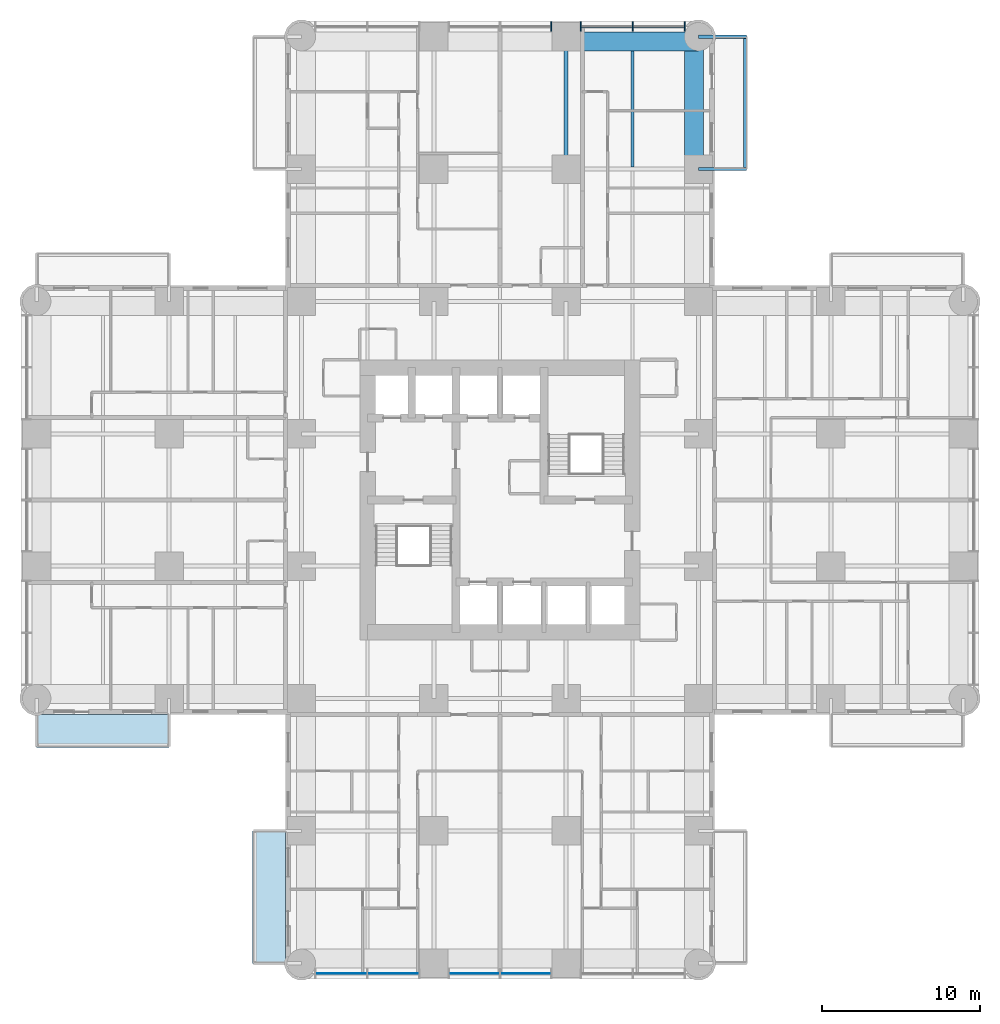
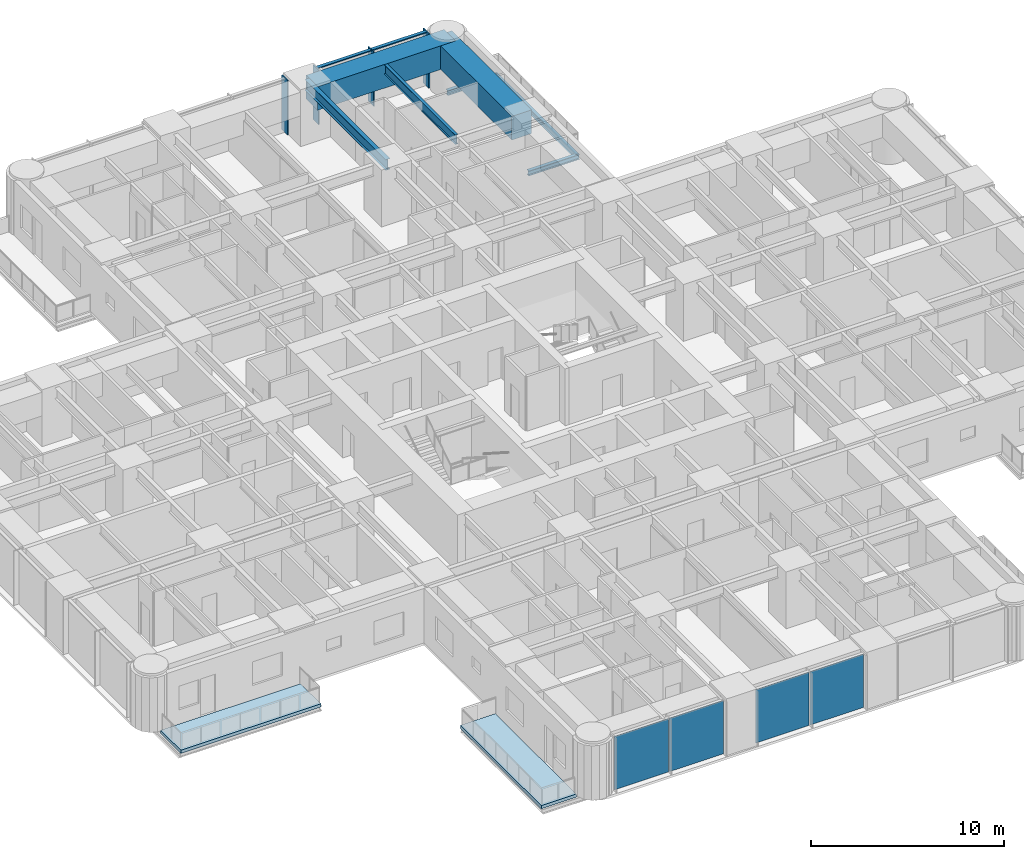
# One storey, part 5 of 17: 7 beams, 6 members, 4 plates, 2 slabs, 2 elements without a shape of their own.
"""IFC4 building model written with IfcOpenShell, lengths in metres."""

import ifcopenshell
import ifcopenshell.guid

model = None  # the IFC model being written
_history = None  # IfcOwnerHistory: only IFC2X3 demands one
_inside = {}  # id of a spatial element -> (the spatial element, [elements in it])
_under = {}  # id of a project, library or spatial element -> (it, [spatial elements below it])
_declared = {}  # id of a project -> (the project, [libraries it declares])
_typed = {}  # id of a type object -> (the type object, [elements of that type])
_made_of = {}  # id of a material, layer set ... -> (it, [elements and type objects made of it])


def new_model(schema):
    """Start an empty IFC model of exactly this schema.

    Asked for "IFC4X3", IfcOpenShell would pick the latest addendum, in which some entities
    have other attributes; the version numbers below select the first issue.
    IFC2X3 requires an IfcOwnerHistory on every rooted entity: one is made here for all.
    """
    global model, _history
    if schema == "IFC4X3":
        model = ifcopenshell.file(schema_version=(4, 3, 0, 0))
    else:
        model = ifcopenshell.file(schema=schema)
    _inside.clear()
    _under.clear()
    _declared.clear()
    _typed.clear()
    _made_of.clear()
    _history = None
    if model.schema == "IFC2X3":
        org = make("IfcOrganization", Name="unknown")
        user = make(
            "IfcPersonAndOrganization",
            ThePerson=make("IfcPerson", FamilyName="unknown"),
            TheOrganization=org,
        )
        app = make(
            "IfcApplication",
            ApplicationDeveloper=org,
            Version="unknown",
            ApplicationFullName="unknown",
            ApplicationIdentifier="unknown",
        )
        _history = make(
            "IfcOwnerHistory",
            OwningUser=user,
            OwningApplication=app,
            ChangeAction="ADDED",
            CreationDate=0,
        )
    return model


def make(cls, **values):
    """One entity of the class cls with the attributes given. An attribute that is None is left unset."""
    return model.create_entity(
        cls, **{name: value for name, value in values.items() if value is not None}
    )


def rooted(cls, **values):
    """An entity with a GlobalId (a new one), such as an element, a storey or a relation."""
    return make(cls, GlobalId=ifcopenshell.guid.new(), OwnerHistory=_history, **values)


def si_unit(unit_type, name, prefix=None):
    """IfcSIUnit, for example si_unit("LENGTHUNIT", "METRE", prefix="MILLI")."""
    return make("IfcSIUnit", UnitType=unit_type, Prefix=prefix, Name=name)


def assignment(units):
    """IfcUnitAssignment: the units of a project."""
    return None if units is None else make("IfcUnitAssignment", Units=units)


def point(xyz):
    """IfcCartesianPoint."""
    return None if xyz is None else make("IfcCartesianPoint", Coordinates=xyz)


def direction(xyz):
    """IfcDirection."""
    return None if xyz is None else make("IfcDirection", DirectionRatios=xyz)


def frame(location, z_axis=None, x_axis=None):
    """IfcAxis2Placement3D, a coordinate frame: its origin and axes. An axis left out is left unset."""
    return make(
        "IfcAxis2Placement3D",
        Location=point(location),
        Axis=direction(z_axis),
        RefDirection=direction(x_axis),
    )


def frame_2d(location, x_axis=None):
    """IfcAxis2Placement2D, a coordinate frame in the plane: its origin and x axis."""
    return make(
        "IfcAxis2Placement2D", Location=point(location), RefDirection=direction(x_axis)
    )


def origin():
    """The frame at (0, 0, 0) with its axes left unset."""
    return frame((0.0, 0.0, 0.0))


def origin_2d():
    """The frame at (0, 0) in the plane with its x axis left unset."""
    return frame_2d((0.0, 0.0))


def place(relative_to, where):
    """IfcLocalPlacement: puts the frame where relative to a parent placement (None: the world)."""
    return make(
        "IfcLocalPlacement", PlacementRelTo=relative_to, RelativePlacement=where
    )


def context(
    kind, dimensions, precision=None, world=None, true_north=None, identifier=None
):
    """IfcGeometricRepresentationContext, for example the 3D "Model" context."""
    return make(
        "IfcGeometricRepresentationContext",
        ContextIdentifier=identifier,
        ContextType=kind,
        CoordinateSpaceDimension=dimensions,
        Precision=precision,
        WorldCoordinateSystem=world,
        TrueNorth=true_north,
    )


def subcontext(parent, identifier, kind, view, scale=None):
    """IfcGeometricRepresentationSubContext, for example "Body" below "Model"."""
    return make(
        "IfcGeometricRepresentationSubContext",
        ContextIdentifier=identifier,
        ContextType=kind,
        ParentContext=parent,
        TargetScale=scale,
        TargetView=view,
    )


def project(units=None, contexts=None):
    """IfcProject with its units and contexts."""
    return rooted(
        "IfcProject",
        Name="project",
        RepresentationContexts=contexts,
        UnitsInContext=assignment(units),
    )


def spatial(cls, under=None, at=None, **own):
    """A site, building, storey or space (cls), placed at a placement, below another one or the project."""
    s = rooted(cls, ObjectPlacement=at, **own)
    if under is not None:
        _under.setdefault(under.id(), (under, []))[1].append(s)
    return s


def polyline(points):
    """IfcPolyline through the points."""
    return make("IfcPolyline", Points=[point(p) for p in points])


def profile(cls, at=None, kind="AREA", **sizes):
    """A parametric profile (cls). Its sizes go by their IFC names, for example OverallWidth=200.0."""
    return make(cls, ProfileType=kind, Position=at, **sizes)


def rectangle(**sizes):
    """IfcRectangleProfileDef."""
    return profile("IfcRectangleProfileDef", **sizes)


def i_section(**sizes):
    """IfcIShapeProfileDef."""
    return profile("IfcIShapeProfileDef", **sizes)


def outline(outer, holes=None, kind="AREA"):
    """IfcArbitraryClosedProfileDef: a profile drawn as a closed curve; with holes, ...WithVoids."""
    if holes is None:
        return make("IfcArbitraryClosedProfileDef", ProfileType=kind, OuterCurve=outer)
    return make(
        "IfcArbitraryProfileDefWithVoids",
        ProfileType=kind,
        OuterCurve=outer,
        InnerCurves=holes,
    )


def extrude(swept, where, along, depth):
    """IfcExtrudedAreaSolid: the profile swept, set in the frame where, extruded along a direction by depth."""
    return make(
        "IfcExtrudedAreaSolid",
        SweptArea=swept,
        Position=where,
        ExtrudedDirection=direction(along),
        Depth=depth,
    )


def shape(context_of_items, identifier, shape_type, items):
    """IfcShapeRepresentation: the items that make up one representation, for example the "Body"."""
    return make(
        "IfcShapeRepresentation",
        ContextOfItems=context_of_items,
        RepresentationIdentifier=identifier,
        RepresentationType=shape_type,
        Items=items,
    )


def material(Name=None, Category=None):
    """IfcMaterial."""
    return make("IfcMaterial", Name=Name, Category=Category)


def layer(
    of_material, thickness, ventilated=None, Name=None, Category=None, Priority=None
):
    """IfcMaterialLayer: one layer of a wall or slab, of a material (None: an air gap)."""
    return make(
        "IfcMaterialLayer",
        Material=of_material,
        LayerThickness=thickness,
        IsVentilated=ventilated,
        Name=Name,
        Category=Category,
        Priority=Priority,
    )


def layer_set(layers, Name=None):
    """IfcMaterialLayerSet."""
    return make("IfcMaterialLayerSet", MaterialLayers=layers, LayerSetName=Name)


def material_profile(
    of_material, cross_section, Name=None, Category=None, Priority=None
):
    """IfcMaterialProfile: a cross section and its material."""
    return make(
        "IfcMaterialProfile",
        Name=Name,
        Material=of_material,
        Profile=cross_section,
        Priority=Priority,
        Category=Category,
    )


def profile_set(profiles, Name=None, composite=None):
    """IfcMaterialProfileSet."""
    return make(
        "IfcMaterialProfileSet",
        Name=Name,
        MaterialProfiles=profiles,
        CompositeProfile=composite,
    )


def made_of(thing, what):
    """Note that an element or type object is made of a material, layer set ...; save() writes the relation."""
    if what is not None:
        _made_of.setdefault(what.id(), (what, []))[1].append(thing)
    return thing


def type_object(cls, material=None, **own):
    """A type object (cls), such as IfcWallType, which elements share."""
    return made_of(rooted(cls, **own), material)


def element(
    cls,
    number,
    at=None,
    inside=None,
    cuts=None,
    type_object=None,
    material=None,
    context=None,
    identifier="Body",
    shape_type=None,
    held_by="IfcProductDefinitionShape",
    body=None,
    shapes=None,
    **own,
):
    """One element of the class cls, such as IfcWall. Its Tag is "e" and its number.

    at: its placement. inside: the storey or other place that contains it. cuts: it is an
    opening in that element (IfcRelVoidsElement). A single representation is given by context,
    identifier, shape_type and body (its items); several are given by shapes. held_by: the class
    of the entity that holds the representations. save() writes the other relations.
    """
    e = rooted(cls, Tag="e%d" % number, ObjectPlacement=at, **own)
    if body is not None:
        shapes = [shape(context, identifier, shape_type, body)]
    if shapes is not None:
        e.Representation = make(held_by, Representations=shapes)
    if inside is not None:
        _inside.setdefault(inside.id(), (inside, []))[1].append(e)
    if cuts is not None:
        rooted(
            "IfcRelVoidsElement", RelatingBuildingElement=cuts, RelatedOpeningElement=e
        )
    if type_object is not None:
        _typed.setdefault(type_object.id(), (type_object, []))[1].append(e)
    return made_of(e, material)


def aggregate(whole, parts):
    """IfcRelAggregates: a whole, such as a stair, and the parts it consists of."""
    return rooted("IfcRelAggregates", RelatingObject=whole, RelatedObjects=parts)


def save(model, path):
    """Write the relations noted so far, then the file.

    IfcRelAggregates (storeys below a building ...), IfcRelContainedInSpatialStructure (elements
    in a storey), IfcRelDefinesByType, IfcRelAssociatesMaterial and IfcRelDeclares: one each for
    every whole, place, type object, material and project.
    """
    for whole, parts in _under.values():
        aggregate(whole, parts)
    for where, things in _inside.values():
        rooted(
            "IfcRelContainedInSpatialStructure",
            RelatedElements=things,
            RelatingStructure=where,
        )
    for kind, things in _typed.values():
        rooted("IfcRelDefinesByType", RelatedObjects=things, RelatingType=kind)
    for what, things in _made_of.values():
        rooted("IfcRelAssociatesMaterial", RelatedObjects=things, RelatingMaterial=what)
    for by, libraries in _declared.values():
        rooted("IfcRelDeclares", RelatingContext=by, RelatedDefinitions=libraries)
    model.write(path)


model = new_model("IFC4")

# Units and contexts
model_context = context("Model", 3, precision=1e-05, world=origin(), true_north=direction((0.0, 1.0)))
body_context = subcontext(model_context, "Body", "Model", "MODEL_VIEW")
ifc_project = project(units=[si_unit("LENGTHUNIT", "METRE"), si_unit("AREAUNIT", "SQUARE_METRE"), si_unit("VOLUMEUNIT", "CUBIC_METRE"), si_unit("PLANEANGLEUNIT", "RADIAN"), si_unit("MASSUNIT", "GRAM", prefix="KILO")], contexts=[model_context])

# Site, building, storey
site_placement = place(None, origin())
site = spatial("IfcSite", under=ifc_project, at=site_placement, CompositionType="ELEMENT")
building_placement = place(site_placement, origin())
building = spatial("IfcBuilding", under=site, at=building_placement, Name="Torre Alcanfor", CompositionType="ELEMENT")
storey_placement = place(building_placement, frame((0.0, 0.0, 63.300048828125)))
storey = spatial("IfcBuildingStorey", under=building, at=storey_placement, Name="L15", CompositionType="ELEMENT", Elevation=63.300048828125)

# Beams
ifc_material_1 = material(Name="Steel ASTM A992 Grade 50", Category="steel")
ifc_material_profile_1 = material_profile(ifc_material_1, i_section(OverallWidth=0.205322265625, OverallDepth=0.309814453125, WebThickness=0.00927734375, FlangeThickness=0.016357421875, at=origin_2d()), Name="W12x50")
ifc_profile_set_1 = profile_set([ifc_material_profile_1], Name="Steel ASTM A992 Grade 50")
beam_type_1 = type_object("IfcBeamType", Name="Balcony cantilever beam W12x50", PredefinedType="BEAM", material=ifc_profile_set_1)
for number, where, z_axis, x_axis, name in (
    (1, (42.0, 50.39990234375, -0.35498046875), (1.0, 0.0, 0.0), (0.0, 1.0, 0.0), "Balcony cantilever beam L15-N2 1"),
    (2, (42.0, 58.800048828125, -0.35498046875), (1.0, 0.0, 0.0), (0.0, 1.0, 0.0), "Balcony cantilever beam L15-N2 2"),
):
    element("IfcBeam", number, at=place(storey_placement, frame(where, z_axis=z_axis, x_axis=x_axis)), inside=storey, type_object=beam_type_1, Name=name, PredefinedType="BEAM", context=body_context, shape_type="SweptSolid", body=[
        extrude(i_section(OverallWidth=0.205322265625, OverallDepth=0.309814453125, WebThickness=0.00927734375, FlangeThickness=0.016357421875, at=origin_2d()), origin(), (0.0, 0.0, 1.0), 3.050048828125),
    ])
ifc_material_2 = material(Name="Steel ASTM A992 Grade 50", Category="steel")
ifc_material_profile_2 = material_profile(ifc_material_2, i_section(OverallWidth=0.203369140625, OverallDepth=0.30224609375, WebThickness=0.007568359375, FlangeThickness=0.01318359375, at=origin_2d()), Name="W12x40")
ifc_profile_set_2 = profile_set([ifc_material_profile_2], Name="Steel ASTM A992 Grade 50")
beam_type_2 = type_object("IfcBeamType", Name="Balcony edge trimmer W12x40", PredefinedType="BEAM", material=ifc_profile_set_2)
beam_1_placement = place(storey_placement, frame((44.9482421875, 50.39990234375, -0.35107421875), z_axis=(0.0, 1.0, 0.0), x_axis=(-1.0, 0.0, 0.0)))
element("IfcBeam", 3, at=beam_1_placement, inside=storey, type_object=beam_type_2, Name="Balcony edge trimmer L15-N2", PredefinedType="BEAM", context=body_context, shape_type="SweptSolid", body=[
    extrude(i_section(OverallWidth=0.203369140625, OverallDepth=0.30224609375, WebThickness=0.007568359375, FlangeThickness=0.01318359375, at=origin_2d()), origin(), (0.0, 0.0, 1.0), 8.400146484375),
])

# Curtain wall, members
ifc_material_3 = material(Name="Aluminium and glass", Category="aluminium")
curtain_wall_type = type_object("IfcCurtainWallType", Name="CW-A unitised apartment glazing with vertical FIN", PredefinedType="NOTDEFINED", material=ifc_material_3)
curtain_wall_1_placement = place(storey_placement, origin())
curtain_wall_1 = element("IfcCurtainWall", 4, at=curtain_wall_1_placement, inside=storey, type_object=curtain_wall_type, Name="Curtain wall CW-A L15 11", PredefinedType="NOTDEFINED")
ifc_material_4 = material(Name="Bronze anodised aluminium", Category="aluminium")
ifc_material_profile_3 = material_profile(ifc_material_4, rectangle(XDim=0.60009765625, YDim=0.06494140625, at=origin_2d()), Name="CW-A mullion 65x600")
ifc_profile_set_3 = profile_set([ifc_material_profile_3], Name="Bronze anodised aluminium")
member_type_1 = type_object("IfcMemberType", Name="CW-A mullion with vertical FIN 65x600", PredefinedType="MULLION", material=ifc_profile_set_3)
member_1_placement = place(storey_placement, frame((41.133056640625, 59.449951171875, 0.0), z_axis=(0.0, 0.0, 1.0), x_axis=(0.0, -1.0, 0.0)))
member_1 = element("IfcMember", 5, at=member_1_placement, type_object=member_type_1, Name="CW-A mullion 1.1", PredefinedType="MULLION", context=body_context, shape_type="SweptSolid", body=[
    extrude(rectangle(XDim=0.60009765625, YDim=0.06494140625, at=origin_2d()), origin(), (0.0, 0.0, 1.0), 3.449951171875),
])
member_2_placement = place(storey_placement, frame((37.835205078125, 59.449951171875, 0.0), z_axis=(0.0, 0.0, 1.0), x_axis=(0.0, -1.0, 0.0)))
member_2 = element("IfcMember", 6, at=member_2_placement, type_object=member_type_1, Name="CW-A mullion 1.2", PredefinedType="MULLION", context=body_context, shape_type="SweptSolid", body=[
    extrude(rectangle(XDim=0.60009765625, YDim=0.06494140625, at=origin_2d()), origin(), (0.0, 0.0, 1.0), 3.449951171875),
])
member_3_placement = place(storey_placement, frame((34.53759765625, 59.449951171875, 0.0), z_axis=(0.0, 0.0, 1.0), x_axis=(0.0, -1.0, 0.0)))
member_3 = element("IfcMember", 7, at=member_3_placement, type_object=member_type_1, Name="CW-A mullion 1.3", PredefinedType="MULLION", context=body_context, shape_type="SweptSolid", body=[
    extrude(rectangle(XDim=0.60009765625, YDim=0.06494140625, at=origin_2d()), origin(), (0.0, 0.0, 1.0), 3.449951171875),
])
member_4_placement = place(storey_placement, frame((32.66259765625, 59.449951171875, 0.0), z_axis=(0.0, 0.0, 1.0), x_axis=(0.0, -1.0, 0.0)))
member_4 = element("IfcMember", 8, at=member_4_placement, type_object=member_type_1, Name="CW-A mullion 2.1", PredefinedType="MULLION", context=body_context, shape_type="SweptSolid", body=[
    extrude(rectangle(XDim=0.60009765625, YDim=0.06494140625, at=origin_2d()), origin(), (0.0, 0.0, 1.0), 3.449951171875),
])
ifc_material_5 = material(Name="Extruded aluminium", Category="aluminium")
ifc_material_profile_4 = material_profile(ifc_material_5, rectangle(XDim=0.199951171875, YDim=0.06494140625, at=origin_2d()), Name="CW-A transom 200x65")
ifc_profile_set_4 = profile_set([ifc_material_profile_4], Name="Extruded aluminium")
member_type_2 = type_object("IfcMemberType", Name="CW-A transom 65x200", PredefinedType="USERDEFINED", material=ifc_profile_set_4)
member_5_placement = place(storey_placement, frame((41.1005859375, 59.449951171875, 3.41748046875), z_axis=(-1.0, 0.0, 0.0), x_axis=(0.0, -1.0, 0.0)))
member_5 = element("IfcMember", 9, at=member_5_placement, type_object=member_type_2, Name="CW-A transom 1.1.2", ObjectType="TRANSOM", PredefinedType="USERDEFINED", context=body_context, shape_type="SweptSolid", body=[
    extrude(rectangle(XDim=0.199951171875, YDim=0.06494140625, at=origin_2d()), origin(), (0.0, 0.0, 1.0), 3.23291015625),
])
member_6_placement = place(storey_placement, frame((37.802734375, 59.449951171875, 3.41748046875), z_axis=(-1.0, 0.0, 0.0), x_axis=(0.0, -1.0, 0.0)))
member_6 = element("IfcMember", 10, at=member_6_placement, type_object=member_type_2, Name="CW-A transom 1.2.2", ObjectType="TRANSOM", PredefinedType="USERDEFINED", context=body_context, shape_type="SweptSolid", body=[
    extrude(rectangle(XDim=0.199951171875, YDim=0.06494140625, at=origin_2d()), origin(), (0.0, 0.0, 1.0), 3.232666015625),
])
aggregate(curtain_wall_1, [member_1, member_2, member_3, member_5, member_6, member_4])

# Beams
ifc_material_6 = material(Name="Steel ASTM A992 Grade 50", Category="steel")
ifc_material_profile_5 = material_profile(ifc_material_6, i_section(OverallWidth=0.25390625, OverallDepth=0.683349609375, WebThickness=0.012451171875, FlangeThickness=0.01904296875, at=origin_2d()), Name="W27x94")
ifc_profile_set_5 = profile_set([ifc_material_profile_5], Name="Steel ASTM A992 Grade 50")
beam_type_3 = type_object("IfcBeamType", Name="Girder W27x94", PredefinedType="BEAM", material=ifc_profile_set_5)
beam_2_placement = place(storey_placement, frame((33.60009765625, 50.39990234375, 3.1083984375), z_axis=(0.0, 1.0, 0.0), x_axis=(-1.0, 0.0, 0.0)))
element("IfcBeam", 11, at=beam_2_placement, inside=storey, type_object=beam_type_3, Name="Beam 5J-5K under L16", PredefinedType="BEAM", context=body_context, shape_type="SweptSolid", body=[
    extrude(i_section(OverallWidth=0.25390625, OverallDepth=0.683349609375, WebThickness=0.012451171875, FlangeThickness=0.01904296875, at=origin_2d()), origin(), (0.0, 0.0, 1.0), 8.400146484375),
])
ifc_material_7 = material(Name="Concrete f'c 70 MPa", Category="concrete")
ifc_material_profile_6 = material_profile(ifc_material_7, rectangle(XDim=1.199951171875, YDim=1.5, at=origin_2d()), Name="1200x1500")
ifc_profile_set_6 = profile_set([ifc_material_profile_6], Name="Concrete f'c 70 MPa")
beam_type_4 = type_object("IfcBeamType", Name="RC perimeter beam 1200x1500", PredefinedType="BEAM", material=ifc_profile_set_6)
for number, where, z_axis, x_axis, name in (
    (12, (33.72705078125, 58.5, 2.699951171875), (1.0, 0.0, 0.0), (0.0, 1.0, 0.0), "Beam 5K-6K under L16"),
    (13, (41.699951171875, 50.527099609375, 2.699951171875), (0.0, 1.0, 0.0), (-1.0, 0.0, 0.0), "Beam 6J-6K under L16"),
):
    element("IfcBeam", number, at=place(storey_placement, frame(where, z_axis=z_axis, x_axis=x_axis)), inside=storey, type_object=beam_type_4, Name=name, PredefinedType="BEAM", context=body_context, shape_type="SweptSolid", body=[
        extrude(rectangle(XDim=1.199951171875, YDim=1.5, at=origin_2d()), origin(), (0.0, 0.0, 1.0), 8.27294921875),
    ])
ifc_material_8 = material(Name="Steel ASTM A992 Grade 50", Category="steel")
ifc_material_profile_7 = material_profile(ifc_material_8, i_section(OverallWidth=0.1787109375, OverallDepth=0.60205078125, WebThickness=0.010986328125, FlangeThickness=0.014892578125, at=origin_2d()), Name="W24x62")
ifc_profile_set_7 = profile_set([ifc_material_profile_7], Name="Steel ASTM A992 Grade 50")
beam_type_5 = type_object("IfcBeamType", Name="Secondary beam W24x62", PredefinedType="BEAM", material=ifc_profile_set_7)
beam_3_placement = place(storey_placement, frame((37.800048828125, 50.527099609375, 3.14892578125), z_axis=(0.0, 1.0, 0.0), x_axis=(-1.0, 0.0, 0.0)))
element("IfcBeam", 14, at=beam_3_placement, inside=storey, type_object=beam_type_5, Name="Beam 37_8J-37_8K under L16", PredefinedType="BEAM", context=body_context, shape_type="SweptSolid", body=[
    extrude(i_section(OverallWidth=0.1787109375, OverallDepth=0.60205078125, WebThickness=0.010986328125, FlangeThickness=0.014892578125, at=origin_2d()), origin(), (0.0, 0.0, 1.0), 7.372802734375),
])

# Slabs
ifc_material_9 = material(Name="Concrete f'c 35 MPa", Category="concrete")
ifc_layer_1 = layer(ifc_material_9, 0.199951171875)
ifc_layer_set_1 = layer_set([ifc_layer_1], Name="Balcony slab 200")
slab_type = type_object("IfcSlabType", Name="Balcony slab 200", PredefinedType="FLOOR", material=ifc_layer_set_1)
slab_1_placement = place(storey_placement, frame((0.0, 0.0, -0.199951171875)))
element("IfcSlab", 15, at=slab_1_placement, inside=storey, type_object=slab_type, Name="Balcony L15-S2", PredefinedType="FLOOR", context=body_context, shape_type="SweptSolid", body=[
    extrude(outline(polyline([(13.699951171875, 8.39990234375), (13.699951171875, 0.0), (15.800048828125, 0.0), (15.800048828125, 8.39990234375), (13.699951171875, 8.39990234375)])), origin(), (0.0, 0.0, 1.0), 0.199951171875),
])
slab_2_placement = place(storey_placement, frame((0.0, 0.0, -0.199951171875)))
element("IfcSlab", 16, at=slab_2_placement, inside=storey, type_object=slab_type, Name="Balcony L15-W1", PredefinedType="FLOOR", context=body_context, shape_type="SweptSolid", body=[
    extrude(outline(polyline([(8.39990234375, 15.800048828125), (0.0, 15.800048828125), (0.0, 13.699951171875), (8.39990234375, 13.699951171875), (8.39990234375, 15.800048828125)])), origin(), (0.0, 0.0, 1.0), 0.199951171875),
])

# Curtain wall, plates
curtain_wall_2_placement = place(storey_placement, origin())
curtain_wall_2 = element("IfcCurtainWall", 17, at=curtain_wall_2_placement, inside=storey, type_object=curtain_wall_type, Name="Curtain wall CW-A L15 5", PredefinedType="NOTDEFINED")
ifc_material_10 = material(Name="Glass", Category="glass")
ifc_layer_2 = layer(ifc_material_10, 0.028076171875)
ifc_layer_set_2 = layer_set([ifc_layer_2], Name="CW-A clear double glazed unit")
plate_type = type_object("IfcPlateType", Name="CW-A clear double glazed unit", PredefinedType="CURTAIN_PANEL", material=ifc_layer_set_2)
plate_1_placement = place(storey_placement, frame((19.31591796875, -0.64990234375, 0.0), z_axis=(0.0, 0.0, 1.0), x_axis=(1.0, 0.0, 0.0)))
plate_1 = element("IfcPlate", 18, at=plate_1_placement, type_object=plate_type, Name="CW-A panel 1.1.1", PredefinedType="CURTAIN_PANEL", context=body_context, shape_type="SweptSolid", body=[
    extrude(rectangle(XDim=3.232666015625, YDim=0.028076171875, at=origin_2d()), origin(), (0.0, 0.0, 1.0), 3.385009765625),
])
plate_2_placement = place(storey_placement, frame((22.613525390625, -0.64990234375, 0.0), z_axis=(0.0, 0.0, 1.0), x_axis=(1.0, 0.0, 0.0)))
plate_2 = element("IfcPlate", 19, at=plate_2_placement, type_object=plate_type, Name="CW-A panel 1.2.1", PredefinedType="CURTAIN_PANEL", context=body_context, shape_type="SweptSolid", body=[
    extrude(rectangle(XDim=3.232666015625, YDim=0.028076171875, at=origin_2d()), origin(), (0.0, 0.0, 1.0), 3.385009765625),
])
plate_3_placement = place(storey_placement, frame((27.768798828125, -0.64990234375, 0.0), z_axis=(0.0, 0.0, 1.0), x_axis=(1.0, 0.0, 0.0)))
plate_3 = element("IfcPlate", 20, at=plate_3_placement, type_object=plate_type, Name="CW-A panel 2.1.1", PredefinedType="CURTAIN_PANEL", context=body_context, shape_type="SweptSolid", body=[
    extrude(rectangle(XDim=3.197509765625, YDim=0.028076171875, at=origin_2d()), origin(), (0.0, 0.0, 1.0), 3.385009765625),
])
plate_4_placement = place(storey_placement, frame((31.03125, -0.64990234375, 0.0), z_axis=(0.0, 0.0, 1.0), x_axis=(1.0, 0.0, 0.0)))
plate_4 = element("IfcPlate", 21, at=plate_4_placement, type_object=plate_type, Name="CW-A panel 2.2.1", PredefinedType="CURTAIN_PANEL", context=body_context, shape_type="SweptSolid", body=[
    extrude(rectangle(XDim=3.197509765625, YDim=0.028076171875, at=origin_2d()), origin(), (0.0, 0.0, 1.0), 3.385009765625),
])
aggregate(curtain_wall_2, [plate_1, plate_2, plate_3, plate_4])

save(model, "model.ifc")
